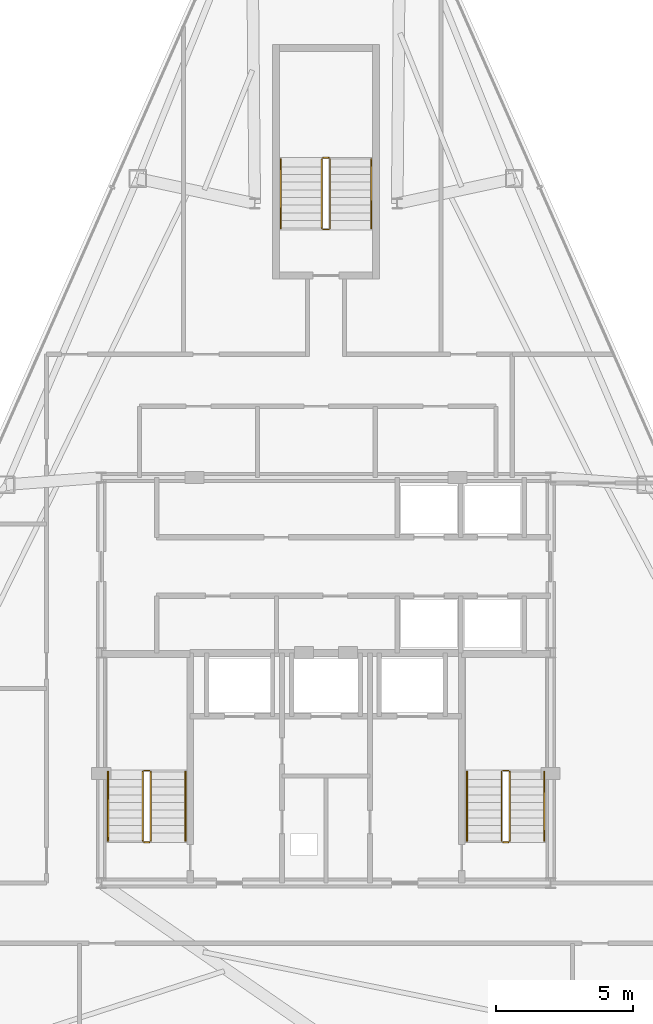
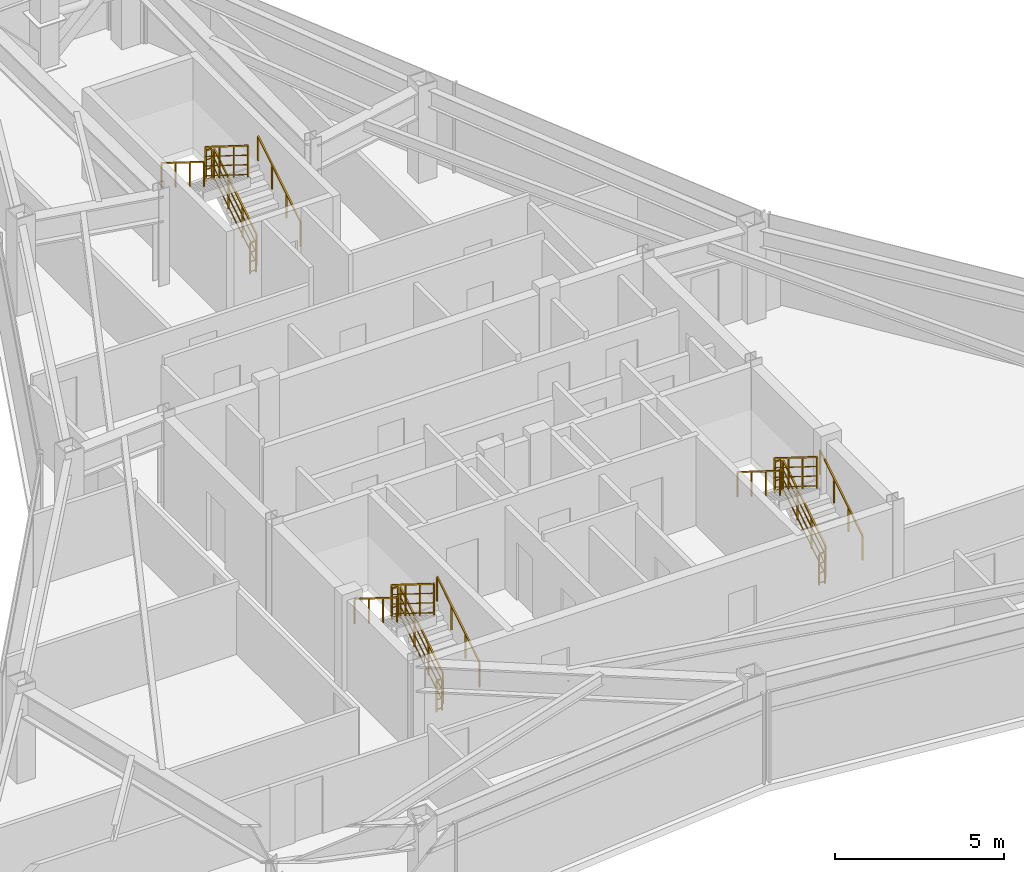
# One storey, part 12 of 12: 18 railings.
"""IFC4 building model written with IfcOpenShell, lengths in metres."""

from ifc_helpers import new_model, si_unit, direction, frame, origin, origin_2d, place, context, subcontext, project, spatial, rectangle, extrude, material, type_object, element, save


model = new_model("IFC4")

# Units and contexts
model_context = context("Model", 3, precision=1e-05, world=origin(), true_north=direction((0.0, 1.0)))
body_context = subcontext(model_context, "Body", "Model", "MODEL_VIEW")
ifc_project = project(units=[si_unit("LENGTHUNIT", "METRE"), si_unit("AREAUNIT", "SQUARE_METRE"), si_unit("VOLUMEUNIT", "CUBIC_METRE"), si_unit("PLANEANGLEUNIT", "RADIAN"), si_unit("MASSUNIT", "GRAM", prefix="KILO")], contexts=[model_context])

# Site, building, storey
site_placement = place(None, origin())
site = spatial("IfcSite", under=ifc_project, at=site_placement, CompositionType="ELEMENT")
building_placement = place(site_placement, origin())
building = spatial("IfcBuilding", under=site, at=building_placement, Name="Varakhsha Concourse Tower", CompositionType="ELEMENT")
storey_placement = place(building_placement, frame((0.0, 0.0, 265.5)))
storey = spatial("IfcBuildingStorey", under=building, at=storey_placement, Name="L75", CompositionType="ELEMENT", Elevation=265.5)

# Railings
ifc_material = material(Name="Brushed Austenitic Stainless Steel AISI 316", Category="steel")
railing_type_1 = type_object("IfcRailingType", Name="RL-STAIR-GUARD-1100", PredefinedType="GUARDRAIL", material=ifc_material)
railing_1_placement = place(storey_placement, frame((33.610107421875, 17.93994140625, 0.175048828125)))
element("IfcRailing", 1, at=railing_1_placement, inside=storey, type_object=railing_type_1, Name="L75 ST1 stair guard 1", PredefinedType="GUARDRAIL", context=body_context, shape_type="SweptSolid", body=[
    extrude(rectangle(XDim=0.048095703125, YDim=0.048095703125, at=origin_2d()), frame((0.0, 0.0, 1.1259765625), z_axis=(0.0, 0.848007534815, 0.529984170421), x_axis=(-1.0, 0.0, 0.0)), (0.0, 0.0, 1.0), 2.9716796875),
    extrude(rectangle(XDim=0.028076171875, YDim=0.028076171875, at=origin_2d()), frame((0.0, 0.0, 0.080078125), z_axis=(0.0, 0.848007534815, 0.529984170421), x_axis=(-1.0, 0.0, 0.0)), (0.0, 0.0, 1.0), 2.9716796875),
    extrude(rectangle(XDim=0.028076171875, YDim=0.028076171875, at=origin_2d()), frame((0.0, 0.0, 0.43701171875), z_axis=(0.0, 0.848007534815, 0.529984170421), x_axis=(-1.0, 0.0, 0.0)), (0.0, 0.0, 1.0), 2.9716796875),
    extrude(rectangle(XDim=0.028076171875, YDim=0.028076171875, at=origin_2d()), frame((0.0, 0.0, 0.781982421875), z_axis=(0.0, 0.848007534815, 0.529984170421), x_axis=(-1.0, 0.0, 0.0)), (0.0, 0.0, 1.0), 2.9716796875),
    extrude(rectangle(XDim=0.0419921875, YDim=0.0419921875, at=origin_2d()), origin(), (0.0, 0.0, 1.0), 1.101806640625),
    extrude(rectangle(XDim=0.0419921875, YDim=0.0419921875, at=origin_2d()), frame((0.0, 0.840087890625, 0.52490234375)), (0.0, 0.0, 1.0), 1.101806640625),
    extrude(rectangle(XDim=0.0419921875, YDim=0.0419921875, at=origin_2d()), frame((0.0, 1.679931640625, 1.050048828125)), (0.0, 0.0, 1.0), 1.101806640625),
    extrude(rectangle(XDim=0.0419921875, YDim=0.0419921875, at=origin_2d()), frame((0.0, 2.52001953125, 1.574951171875)), (0.0, 0.0, 1.0), 1.101806640625),
])
railing_2_placement = place(storey_placement, frame((33.56005859375, 20.510009765625, 1.75)))
element("IfcRailing", 2, at=railing_2_placement, inside=storey, type_object=railing_type_1, Name="L75 ST1 stair guard 2", PredefinedType="GUARDRAIL", context=body_context, shape_type="SweptSolid", body=[
    extrude(rectangle(XDim=0.048095703125, YDim=0.048095703125, at=origin_2d()), frame((0.0, 0.0, 1.1259765625), z_axis=(-1.0, 0.0, 0.0), x_axis=(0.0, -1.0, 0.0)), (0.0, 0.0, 1.0), 0.199951171875),
    extrude(rectangle(XDim=0.028076171875, YDim=0.028076171875, at=origin_2d()), frame((0.0, 0.0, 0.080078125), z_axis=(-1.0, 0.0, 0.0), x_axis=(0.0, -1.0, 0.0)), (0.0, 0.0, 1.0), 0.199951171875),
    extrude(rectangle(XDim=0.028076171875, YDim=0.028076171875, at=origin_2d()), frame((0.0, 0.0, 0.43701171875), z_axis=(-1.0, 0.0, 0.0), x_axis=(0.0, -1.0, 0.0)), (0.0, 0.0, 1.0), 0.199951171875),
    extrude(rectangle(XDim=0.028076171875, YDim=0.028076171875, at=origin_2d()), frame((0.0, 0.0, 0.781982421875), z_axis=(-1.0, 0.0, 0.0), x_axis=(0.0, -1.0, 0.0)), (0.0, 0.0, 1.0), 0.199951171875),
    extrude(rectangle(XDim=0.0419921875, YDim=0.0419921875, at=origin_2d()), origin(), (0.0, 0.0, 1.0), 1.101806640625),
    extrude(rectangle(XDim=0.0419921875, YDim=0.0419921875, at=origin_2d()), frame((-0.199951171875, 0.0, 0.0)), (0.0, 0.0, 1.0), 1.101806640625),
])
railing_3_placement = place(storey_placement, frame((33.31005859375, 20.4599609375, 1.925048828125)))
element("IfcRailing", 3, at=railing_3_placement, inside=storey, type_object=railing_type_1, Name="L75 ST1 stair guard 3", PredefinedType="GUARDRAIL", context=body_context, shape_type="SweptSolid", body=[
    extrude(rectangle(XDim=0.048095703125, YDim=0.048095703125, at=origin_2d()), frame((0.0, 0.0, 1.1259765625), z_axis=(0.0, -0.848007534815, 0.529984170421), x_axis=(1.0, 0.0, 0.0)), (0.0, 0.0, 1.0), 2.9716796875),
    extrude(rectangle(XDim=0.028076171875, YDim=0.028076171875, at=origin_2d()), frame((0.0, 0.0, 0.080078125), z_axis=(0.0, -0.848007534815, 0.529984170421), x_axis=(1.0, 0.0, 0.0)), (0.0, 0.0, 1.0), 2.9716796875),
    extrude(rectangle(XDim=0.028076171875, YDim=0.028076171875, at=origin_2d()), frame((0.0, 0.0, 0.43701171875), z_axis=(0.0, -0.848007534815, 0.529984170421), x_axis=(1.0, 0.0, 0.0)), (0.0, 0.0, 1.0), 2.9716796875),
    extrude(rectangle(XDim=0.028076171875, YDim=0.028076171875, at=origin_2d()), frame((0.0, 0.0, 0.781982421875), z_axis=(0.0, -0.848007534815, 0.529984170421), x_axis=(1.0, 0.0, 0.0)), (0.0, 0.0, 1.0), 2.9716796875),
    extrude(rectangle(XDim=0.0419921875, YDim=0.0419921875, at=origin_2d()), origin(), (0.0, 0.0, 1.0), 1.101806640625),
    extrude(rectangle(XDim=0.0419921875, YDim=0.0419921875, at=origin_2d()), frame((0.0, -0.840087890625, 0.52490234375)), (0.0, 0.0, 1.0), 1.101806640625),
    extrude(rectangle(XDim=0.0419921875, YDim=0.0419921875, at=origin_2d()), frame((0.0, -1.679931640625, 1.050048828125)), (0.0, 0.0, 1.0), 1.101806640625),
    extrude(rectangle(XDim=0.0419921875, YDim=0.0419921875, at=origin_2d()), frame((0.0, -2.52001953125, 1.574951171875)), (0.0, 0.0, 1.0), 1.101806640625),
])
railing_4_placement = place(storey_placement, frame((33.56005859375, 17.889892578125, 0.0)))
element("IfcRailing", 4, at=railing_4_placement, inside=storey, type_object=railing_type_1, Name="L75 ST1 stair guard 4", PredefinedType="GUARDRAIL", context=body_context, shape_type="SweptSolid", body=[
    extrude(rectangle(XDim=0.048095703125, YDim=0.048095703125, at=origin_2d()), frame((0.0, 0.0, 1.1259765625), z_axis=(-1.0, 0.0, 0.0), x_axis=(0.0, -1.0, 0.0)), (0.0, 0.0, 1.0), 0.199951171875),
    extrude(rectangle(XDim=0.028076171875, YDim=0.028076171875, at=origin_2d()), frame((0.0, 0.0, 0.080078125), z_axis=(-1.0, 0.0, 0.0), x_axis=(0.0, -1.0, 0.0)), (0.0, 0.0, 1.0), 0.199951171875),
    extrude(rectangle(XDim=0.028076171875, YDim=0.028076171875, at=origin_2d()), frame((0.0, 0.0, 0.43701171875), z_axis=(-1.0, 0.0, 0.0), x_axis=(0.0, -1.0, 0.0)), (0.0, 0.0, 1.0), 0.199951171875),
    extrude(rectangle(XDim=0.028076171875, YDim=0.028076171875, at=origin_2d()), frame((0.0, 0.0, 0.781982421875), z_axis=(-1.0, 0.0, 0.0), x_axis=(0.0, -1.0, 0.0)), (0.0, 0.0, 1.0), 0.199951171875),
    extrude(rectangle(XDim=0.0419921875, YDim=0.0419921875, at=origin_2d()), origin(), (0.0, 0.0, 1.0), 1.101806640625),
    extrude(rectangle(XDim=0.0419921875, YDim=0.0419921875, at=origin_2d()), frame((-0.199951171875, 0.0, 0.0)), (0.0, 0.0, 1.0), 1.101806640625),
])
railing_5_placement = place(storey_placement, frame((46.7099609375, 17.93994140625, 0.175048828125)))
element("IfcRailing", 5, at=railing_5_placement, inside=storey, type_object=railing_type_1, Name="L75 ST2 stair guard 1", PredefinedType="GUARDRAIL", context=body_context, shape_type="SweptSolid", body=[
    extrude(rectangle(XDim=0.048095703125, YDim=0.048095703125, at=origin_2d()), frame((0.0, 0.0, 1.1259765625), z_axis=(0.0, 0.848007534815, 0.529984170421), x_axis=(-1.0, 0.0, 0.0)), (0.0, 0.0, 1.0), 2.9716796875),
    extrude(rectangle(XDim=0.028076171875, YDim=0.028076171875, at=origin_2d()), frame((0.0, 0.0, 0.080078125), z_axis=(0.0, 0.848007534815, 0.529984170421), x_axis=(-1.0, 0.0, 0.0)), (0.0, 0.0, 1.0), 2.9716796875),
    extrude(rectangle(XDim=0.028076171875, YDim=0.028076171875, at=origin_2d()), frame((0.0, 0.0, 0.43701171875), z_axis=(0.0, 0.848007534815, 0.529984170421), x_axis=(-1.0, 0.0, 0.0)), (0.0, 0.0, 1.0), 2.9716796875),
    extrude(rectangle(XDim=0.028076171875, YDim=0.028076171875, at=origin_2d()), frame((0.0, 0.0, 0.781982421875), z_axis=(0.0, 0.848007534815, 0.529984170421), x_axis=(-1.0, 0.0, 0.0)), (0.0, 0.0, 1.0), 2.9716796875),
    extrude(rectangle(XDim=0.0419921875, YDim=0.0419921875, at=origin_2d()), origin(), (0.0, 0.0, 1.0), 1.101806640625),
    extrude(rectangle(XDim=0.0419921875, YDim=0.0419921875, at=origin_2d()), frame((0.0, 0.840087890625, 0.52490234375)), (0.0, 0.0, 1.0), 1.101806640625),
    extrude(rectangle(XDim=0.0419921875, YDim=0.0419921875, at=origin_2d()), frame((0.0, 1.679931640625, 1.050048828125)), (0.0, 0.0, 1.0), 1.101806640625),
    extrude(rectangle(XDim=0.0419921875, YDim=0.0419921875, at=origin_2d()), frame((0.0, 2.52001953125, 1.574951171875)), (0.0, 0.0, 1.0), 1.101806640625),
])
railing_6_placement = place(storey_placement, frame((46.659912109375, 20.510009765625, 1.75)))
element("IfcRailing", 6, at=railing_6_placement, inside=storey, type_object=railing_type_1, Name="L75 ST2 stair guard 2", PredefinedType="GUARDRAIL", context=body_context, shape_type="SweptSolid", body=[
    extrude(rectangle(XDim=0.048095703125, YDim=0.048095703125, at=origin_2d()), frame((0.0, 0.0, 1.1259765625), z_axis=(-1.0, 0.0, 0.0), x_axis=(0.0, -1.0, 0.0)), (0.0, 0.0, 1.0), 0.199951171875),
    extrude(rectangle(XDim=0.028076171875, YDim=0.028076171875, at=origin_2d()), frame((0.0, 0.0, 0.080078125), z_axis=(-1.0, 0.0, 0.0), x_axis=(0.0, -1.0, 0.0)), (0.0, 0.0, 1.0), 0.199951171875),
    extrude(rectangle(XDim=0.028076171875, YDim=0.028076171875, at=origin_2d()), frame((0.0, 0.0, 0.43701171875), z_axis=(-1.0, 0.0, 0.0), x_axis=(0.0, -1.0, 0.0)), (0.0, 0.0, 1.0), 0.199951171875),
    extrude(rectangle(XDim=0.028076171875, YDim=0.028076171875, at=origin_2d()), frame((0.0, 0.0, 0.781982421875), z_axis=(-1.0, 0.0, 0.0), x_axis=(0.0, -1.0, 0.0)), (0.0, 0.0, 1.0), 0.199951171875),
    extrude(rectangle(XDim=0.0419921875, YDim=0.0419921875, at=origin_2d()), origin(), (0.0, 0.0, 1.0), 1.101806640625),
    extrude(rectangle(XDim=0.0419921875, YDim=0.0419921875, at=origin_2d()), frame((-0.199951171875, 0.0, 0.0)), (0.0, 0.0, 1.0), 1.101806640625),
])
railing_7_placement = place(storey_placement, frame((46.409912109375, 20.4599609375, 1.925048828125)))
element("IfcRailing", 7, at=railing_7_placement, inside=storey, type_object=railing_type_1, Name="L75 ST2 stair guard 3", PredefinedType="GUARDRAIL", context=body_context, shape_type="SweptSolid", body=[
    extrude(rectangle(XDim=0.048095703125, YDim=0.048095703125, at=origin_2d()), frame((0.0, 0.0, 1.1259765625), z_axis=(0.0, -0.848007534815, 0.529984170421), x_axis=(1.0, 0.0, 0.0)), (0.0, 0.0, 1.0), 2.9716796875),
    extrude(rectangle(XDim=0.028076171875, YDim=0.028076171875, at=origin_2d()), frame((0.0, 0.0, 0.080078125), z_axis=(0.0, -0.848007534815, 0.529984170421), x_axis=(1.0, 0.0, 0.0)), (0.0, 0.0, 1.0), 2.9716796875),
    extrude(rectangle(XDim=0.028076171875, YDim=0.028076171875, at=origin_2d()), frame((0.0, 0.0, 0.43701171875), z_axis=(0.0, -0.848007534815, 0.529984170421), x_axis=(1.0, 0.0, 0.0)), (0.0, 0.0, 1.0), 2.9716796875),
    extrude(rectangle(XDim=0.028076171875, YDim=0.028076171875, at=origin_2d()), frame((0.0, 0.0, 0.781982421875), z_axis=(0.0, -0.848007534815, 0.529984170421), x_axis=(1.0, 0.0, 0.0)), (0.0, 0.0, 1.0), 2.9716796875),
    extrude(rectangle(XDim=0.0419921875, YDim=0.0419921875, at=origin_2d()), origin(), (0.0, 0.0, 1.0), 1.101806640625),
    extrude(rectangle(XDim=0.0419921875, YDim=0.0419921875, at=origin_2d()), frame((0.0, -0.840087890625, 0.52490234375)), (0.0, 0.0, 1.0), 1.101806640625),
    extrude(rectangle(XDim=0.0419921875, YDim=0.0419921875, at=origin_2d()), frame((0.0, -1.679931640625, 1.050048828125)), (0.0, 0.0, 1.0), 1.101806640625),
    extrude(rectangle(XDim=0.0419921875, YDim=0.0419921875, at=origin_2d()), frame((0.0, -2.52001953125, 1.574951171875)), (0.0, 0.0, 1.0), 1.101806640625),
])
railing_8_placement = place(storey_placement, frame((46.659912109375, 17.889892578125, 0.0)))
element("IfcRailing", 8, at=railing_8_placement, inside=storey, type_object=railing_type_1, Name="L75 ST2 stair guard 4", PredefinedType="GUARDRAIL", context=body_context, shape_type="SweptSolid", body=[
    extrude(rectangle(XDim=0.048095703125, YDim=0.048095703125, at=origin_2d()), frame((0.0, 0.0, 1.1259765625), z_axis=(-1.0, 0.0, 0.0), x_axis=(0.0, -1.0, 0.0)), (0.0, 0.0, 1.0), 0.199951171875),
    extrude(rectangle(XDim=0.028076171875, YDim=0.028076171875, at=origin_2d()), frame((0.0, 0.0, 0.080078125), z_axis=(-1.0, 0.0, 0.0), x_axis=(0.0, -1.0, 0.0)), (0.0, 0.0, 1.0), 0.199951171875),
    extrude(rectangle(XDim=0.028076171875, YDim=0.028076171875, at=origin_2d()), frame((0.0, 0.0, 0.43701171875), z_axis=(-1.0, 0.0, 0.0), x_axis=(0.0, -1.0, 0.0)), (0.0, 0.0, 1.0), 0.199951171875),
    extrude(rectangle(XDim=0.028076171875, YDim=0.028076171875, at=origin_2d()), frame((0.0, 0.0, 0.781982421875), z_axis=(-1.0, 0.0, 0.0), x_axis=(0.0, -1.0, 0.0)), (0.0, 0.0, 1.0), 0.199951171875),
    extrude(rectangle(XDim=0.0419921875, YDim=0.0419921875, at=origin_2d()), origin(), (0.0, 0.0, 1.0), 1.101806640625),
    extrude(rectangle(XDim=0.0419921875, YDim=0.0419921875, at=origin_2d()), frame((-0.199951171875, 0.0, 0.0)), (0.0, 0.0, 1.0), 1.101806640625),
])
railing_9_placement = place(storey_placement, frame((40.14990234375, 40.300048828125, 0.175048828125)))
element("IfcRailing", 9, at=railing_9_placement, inside=storey, type_object=railing_type_1, Name="L75 ST5 stair guard 1", PredefinedType="GUARDRAIL", context=body_context, shape_type="SweptSolid", body=[
    extrude(rectangle(XDim=0.048095703125, YDim=0.048095703125, at=origin_2d()), frame((0.0, 0.0, 1.1259765625), z_axis=(0.0, 0.848007534815, 0.529984170421), x_axis=(-1.0, 0.0, 0.0)), (0.0, 0.0, 1.0), 2.9716796875),
    extrude(rectangle(XDim=0.028076171875, YDim=0.028076171875, at=origin_2d()), frame((0.0, 0.0, 0.080078125), z_axis=(0.0, 0.848007534815, 0.529984170421), x_axis=(-1.0, 0.0, 0.0)), (0.0, 0.0, 1.0), 2.9716796875),
    extrude(rectangle(XDim=0.028076171875, YDim=0.028076171875, at=origin_2d()), frame((0.0, 0.0, 0.43701171875), z_axis=(0.0, 0.848007534815, 0.529984170421), x_axis=(-1.0, 0.0, 0.0)), (0.0, 0.0, 1.0), 2.9716796875),
    extrude(rectangle(XDim=0.028076171875, YDim=0.028076171875, at=origin_2d()), frame((0.0, 0.0, 0.781982421875), z_axis=(0.0, 0.848007534815, 0.529984170421), x_axis=(-1.0, 0.0, 0.0)), (0.0, 0.0, 1.0), 2.9716796875),
    extrude(rectangle(XDim=0.0419921875, YDim=0.0419921875, at=origin_2d()), origin(), (0.0, 0.0, 1.0), 1.101806640625),
    extrude(rectangle(XDim=0.0419921875, YDim=0.0419921875, at=origin_2d()), frame((0.0, 0.840087890625, 0.52490234375)), (0.0, 0.0, 1.0), 1.101806640625),
    extrude(rectangle(XDim=0.0419921875, YDim=0.0419921875, at=origin_2d()), frame((0.0, 1.679931640625, 1.050048828125)), (0.0, 0.0, 1.0), 1.101806640625),
    extrude(rectangle(XDim=0.0419921875, YDim=0.0419921875, at=origin_2d()), frame((0.0, 2.52001953125, 1.574951171875)), (0.0, 0.0, 1.0), 1.101806640625),
])
railing_10_placement = place(storey_placement, frame((40.10009765625, 42.8701171875, 1.75)))
element("IfcRailing", 10, at=railing_10_placement, inside=storey, type_object=railing_type_1, Name="L75 ST5 stair guard 2", PredefinedType="GUARDRAIL", context=body_context, shape_type="SweptSolid", body=[
    extrude(rectangle(XDim=0.048095703125, YDim=0.048095703125, at=origin_2d()), frame((0.0, 0.0, 1.1259765625), z_axis=(-1.0, 0.0, 0.0), x_axis=(0.0, -1.0, 0.0)), (0.0, 0.0, 1.0), 0.2001953125),
    extrude(rectangle(XDim=0.028076171875, YDim=0.028076171875, at=origin_2d()), frame((0.0, 0.0, 0.080078125), z_axis=(-1.0, 0.0, 0.0), x_axis=(0.0, -1.0, 0.0)), (0.0, 0.0, 1.0), 0.2001953125),
    extrude(rectangle(XDim=0.028076171875, YDim=0.028076171875, at=origin_2d()), frame((0.0, 0.0, 0.43701171875), z_axis=(-1.0, 0.0, 0.0), x_axis=(0.0, -1.0, 0.0)), (0.0, 0.0, 1.0), 0.2001953125),
    extrude(rectangle(XDim=0.028076171875, YDim=0.028076171875, at=origin_2d()), frame((0.0, 0.0, 0.781982421875), z_axis=(-1.0, 0.0, 0.0), x_axis=(0.0, -1.0, 0.0)), (0.0, 0.0, 1.0), 0.2001953125),
    extrude(rectangle(XDim=0.0419921875, YDim=0.0419921875, at=origin_2d()), origin(), (0.0, 0.0, 1.0), 1.101806640625),
    extrude(rectangle(XDim=0.0419921875, YDim=0.0419921875, at=origin_2d()), frame((-0.2001953125, 0.0, 0.0)), (0.0, 0.0, 1.0), 1.101806640625),
])
railing_11_placement = place(storey_placement, frame((39.85009765625, 42.820068359375, 1.925048828125)))
element("IfcRailing", 11, at=railing_11_placement, inside=storey, type_object=railing_type_1, Name="L75 ST5 stair guard 3", PredefinedType="GUARDRAIL", context=body_context, shape_type="SweptSolid", body=[
    extrude(rectangle(XDim=0.048095703125, YDim=0.048095703125, at=origin_2d()), frame((0.0, 0.0, 1.1259765625), z_axis=(0.0, -0.848007534815, 0.529984170421), x_axis=(1.0, 0.0, 0.0)), (0.0, 0.0, 1.0), 2.9716796875),
    extrude(rectangle(XDim=0.028076171875, YDim=0.028076171875, at=origin_2d()), frame((0.0, 0.0, 0.080078125), z_axis=(0.0, -0.848007534815, 0.529984170421), x_axis=(1.0, 0.0, 0.0)), (0.0, 0.0, 1.0), 2.9716796875),
    extrude(rectangle(XDim=0.028076171875, YDim=0.028076171875, at=origin_2d()), frame((0.0, 0.0, 0.43701171875), z_axis=(0.0, -0.848007534815, 0.529984170421), x_axis=(1.0, 0.0, 0.0)), (0.0, 0.0, 1.0), 2.9716796875),
    extrude(rectangle(XDim=0.028076171875, YDim=0.028076171875, at=origin_2d()), frame((0.0, 0.0, 0.781982421875), z_axis=(0.0, -0.848007534815, 0.529984170421), x_axis=(1.0, 0.0, 0.0)), (0.0, 0.0, 1.0), 2.9716796875),
    extrude(rectangle(XDim=0.0419921875, YDim=0.0419921875, at=origin_2d()), origin(), (0.0, 0.0, 1.0), 1.101806640625),
    extrude(rectangle(XDim=0.0419921875, YDim=0.0419921875, at=origin_2d()), frame((0.0, -0.840087890625, 0.52490234375)), (0.0, 0.0, 1.0), 1.101806640625),
    extrude(rectangle(XDim=0.0419921875, YDim=0.0419921875, at=origin_2d()), frame((0.0, -1.679931640625, 1.050048828125)), (0.0, 0.0, 1.0), 1.101806640625),
    extrude(rectangle(XDim=0.0419921875, YDim=0.0419921875, at=origin_2d()), frame((0.0, -2.52001953125, 1.574951171875)), (0.0, 0.0, 1.0), 1.101806640625),
])
railing_12_placement = place(storey_placement, frame((40.10009765625, 40.25, 0.0)))
element("IfcRailing", 12, at=railing_12_placement, inside=storey, type_object=railing_type_1, Name="L75 ST5 stair guard 4", PredefinedType="GUARDRAIL", context=body_context, shape_type="SweptSolid", body=[
    extrude(rectangle(XDim=0.048095703125, YDim=0.048095703125, at=origin_2d()), frame((0.0, 0.0, 1.1259765625), z_axis=(-1.0, 0.0, 0.0), x_axis=(0.0, -1.0, 0.0)), (0.0, 0.0, 1.0), 0.2001953125),
    extrude(rectangle(XDim=0.028076171875, YDim=0.028076171875, at=origin_2d()), frame((0.0, 0.0, 0.080078125), z_axis=(-1.0, 0.0, 0.0), x_axis=(0.0, -1.0, 0.0)), (0.0, 0.0, 1.0), 0.2001953125),
    extrude(rectangle(XDim=0.028076171875, YDim=0.028076171875, at=origin_2d()), frame((0.0, 0.0, 0.43701171875), z_axis=(-1.0, 0.0, 0.0), x_axis=(0.0, -1.0, 0.0)), (0.0, 0.0, 1.0), 0.2001953125),
    extrude(rectangle(XDim=0.028076171875, YDim=0.028076171875, at=origin_2d()), frame((0.0, 0.0, 0.781982421875), z_axis=(-1.0, 0.0, 0.0), x_axis=(0.0, -1.0, 0.0)), (0.0, 0.0, 1.0), 0.2001953125),
    extrude(rectangle(XDim=0.0419921875, YDim=0.0419921875, at=origin_2d()), origin(), (0.0, 0.0, 1.0), 1.101806640625),
    extrude(rectangle(XDim=0.0419921875, YDim=0.0419921875, at=origin_2d()), frame((-0.2001953125, 0.0, 0.0)), (0.0, 0.0, 1.0), 1.101806640625),
])
railing_type_2 = type_object("IfcRailingType", Name="RL-STAIR-RAIL-915", PredefinedType="HANDRAIL", material=ifc_material)
railing_13_placement = place(storey_placement, frame((34.8701171875, 17.93994140625, 0.35009765625)))
element("IfcRailing", 13, at=railing_13_placement, inside=storey, type_object=railing_type_2, Name="L75 ST1 stair handrail 1", PredefinedType="HANDRAIL", context=body_context, shape_type="SweptSolid", body=[
    extrude(rectangle(XDim=0.048095703125, YDim=0.048095703125, at=origin_2d()), frame((0.0, 0.0, 0.89111328125), z_axis=(0.0, 0.848007534815, 0.529984170421), x_axis=(-1.0, 0.0, 0.0)), (0.0, 0.0, 1.0), 2.9716796875),
    extrude(rectangle(XDim=0.0419921875, YDim=0.0419921875, at=origin_2d()), origin(), (0.0, 0.0, 1.0), 0.866943359375),
    extrude(rectangle(XDim=0.0419921875, YDim=0.0419921875, at=origin_2d()), frame((0.0, 0.840087890625, 0.52490234375)), (0.0, 0.0, 1.0), 0.866943359375),
    extrude(rectangle(XDim=0.0419921875, YDim=0.0419921875, at=origin_2d()), frame((0.0, 1.679931640625, 1.050048828125)), (0.0, 0.0, 1.0), 0.866943359375),
    extrude(rectangle(XDim=0.0419921875, YDim=0.0419921875, at=origin_2d()), frame((0.0, 2.52001953125, 1.574951171875)), (0.0, 0.0, 1.0), 0.866943359375),
])
railing_14_placement = place(storey_placement, frame((32.050048828125, 20.4599609375, 2.10009765625)))
element("IfcRailing", 14, at=railing_14_placement, inside=storey, type_object=railing_type_2, Name="L75 ST1 stair handrail 2", PredefinedType="HANDRAIL", context=body_context, shape_type="SweptSolid", body=[
    extrude(rectangle(XDim=0.048095703125, YDim=0.048095703125, at=origin_2d()), frame((0.0, 0.0, 0.89111328125), z_axis=(0.0, -0.848007534815, 0.529984170421), x_axis=(1.0, 0.0, 0.0)), (0.0, 0.0, 1.0), 2.9716796875),
    extrude(rectangle(XDim=0.0419921875, YDim=0.0419921875, at=origin_2d()), origin(), (0.0, 0.0, 1.0), 0.866943359375),
    extrude(rectangle(XDim=0.0419921875, YDim=0.0419921875, at=origin_2d()), frame((0.0, -0.840087890625, 0.52490234375)), (0.0, 0.0, 1.0), 0.866943359375),
    extrude(rectangle(XDim=0.0419921875, YDim=0.0419921875, at=origin_2d()), frame((0.0, -1.679931640625, 1.050048828125)), (0.0, 0.0, 1.0), 0.866943359375),
    extrude(rectangle(XDim=0.0419921875, YDim=0.0419921875, at=origin_2d()), frame((0.0, -2.52001953125, 1.574951171875)), (0.0, 0.0, 1.0), 0.866943359375),
])
railing_15_placement = place(storey_placement, frame((47.969970703125, 17.93994140625, 0.35009765625)))
element("IfcRailing", 15, at=railing_15_placement, inside=storey, type_object=railing_type_2, Name="L75 ST2 stair handrail 1", PredefinedType="HANDRAIL", context=body_context, shape_type="SweptSolid", body=[
    extrude(rectangle(XDim=0.048095703125, YDim=0.048095703125, at=origin_2d()), frame((0.0, 0.0, 0.89111328125), z_axis=(0.0, 0.848007534815, 0.529984170421), x_axis=(-1.0, 0.0, 0.0)), (0.0, 0.0, 1.0), 2.9716796875),
    extrude(rectangle(XDim=0.0419921875, YDim=0.0419921875, at=origin_2d()), origin(), (0.0, 0.0, 1.0), 0.866943359375),
    extrude(rectangle(XDim=0.0419921875, YDim=0.0419921875, at=origin_2d()), frame((0.0, 0.840087890625, 0.52490234375)), (0.0, 0.0, 1.0), 0.866943359375),
    extrude(rectangle(XDim=0.0419921875, YDim=0.0419921875, at=origin_2d()), frame((0.0, 1.679931640625, 1.050048828125)), (0.0, 0.0, 1.0), 0.866943359375),
    extrude(rectangle(XDim=0.0419921875, YDim=0.0419921875, at=origin_2d()), frame((0.0, 2.52001953125, 1.574951171875)), (0.0, 0.0, 1.0), 0.866943359375),
])
railing_16_placement = place(storey_placement, frame((45.14990234375, 20.4599609375, 2.10009765625)))
element("IfcRailing", 16, at=railing_16_placement, inside=storey, type_object=railing_type_2, Name="L75 ST2 stair handrail 2", PredefinedType="HANDRAIL", context=body_context, shape_type="SweptSolid", body=[
    extrude(rectangle(XDim=0.048095703125, YDim=0.048095703125, at=origin_2d()), frame((0.0, 0.0, 0.89111328125), z_axis=(0.0, -0.848007534815, 0.529984170421), x_axis=(1.0, 0.0, 0.0)), (0.0, 0.0, 1.0), 2.9716796875),
    extrude(rectangle(XDim=0.0419921875, YDim=0.0419921875, at=origin_2d()), origin(), (0.0, 0.0, 1.0), 0.866943359375),
    extrude(rectangle(XDim=0.0419921875, YDim=0.0419921875, at=origin_2d()), frame((0.0, -0.840087890625, 0.52490234375)), (0.0, 0.0, 1.0), 0.866943359375),
    extrude(rectangle(XDim=0.0419921875, YDim=0.0419921875, at=origin_2d()), frame((0.0, -1.679931640625, 1.050048828125)), (0.0, 0.0, 1.0), 0.866943359375),
    extrude(rectangle(XDim=0.0419921875, YDim=0.0419921875, at=origin_2d()), frame((0.0, -2.52001953125, 1.574951171875)), (0.0, 0.0, 1.0), 0.866943359375),
])
railing_17_placement = place(storey_placement, frame((41.64990234375, 40.300048828125, 0.35009765625)))
element("IfcRailing", 17, at=railing_17_placement, inside=storey, type_object=railing_type_2, Name="L75 ST5 stair handrail 1", PredefinedType="HANDRAIL", context=body_context, shape_type="SweptSolid", body=[
    extrude(rectangle(XDim=0.048095703125, YDim=0.048095703125, at=origin_2d()), frame((0.0, 0.0, 0.89111328125), z_axis=(0.0, 0.848007534815, 0.529984170421), x_axis=(-1.0, 0.0, 0.0)), (0.0, 0.0, 1.0), 2.9716796875),
    extrude(rectangle(XDim=0.0419921875, YDim=0.0419921875, at=origin_2d()), origin(), (0.0, 0.0, 1.0), 0.866943359375),
    extrude(rectangle(XDim=0.0419921875, YDim=0.0419921875, at=origin_2d()), frame((0.0, 0.840087890625, 0.52490234375)), (0.0, 0.0, 1.0), 0.866943359375),
    extrude(rectangle(XDim=0.0419921875, YDim=0.0419921875, at=origin_2d()), frame((0.0, 1.679931640625, 1.050048828125)), (0.0, 0.0, 1.0), 0.866943359375),
    extrude(rectangle(XDim=0.0419921875, YDim=0.0419921875, at=origin_2d()), frame((0.0, 2.52001953125, 1.574951171875)), (0.0, 0.0, 1.0), 0.866943359375),
])
railing_18_placement = place(storey_placement, frame((38.35009765625, 42.820068359375, 2.10009765625)))
element("IfcRailing", 18, at=railing_18_placement, inside=storey, type_object=railing_type_2, Name="L75 ST5 stair handrail 2", PredefinedType="HANDRAIL", context=body_context, shape_type="SweptSolid", body=[
    extrude(rectangle(XDim=0.048095703125, YDim=0.048095703125, at=origin_2d()), frame((0.0, 0.0, 0.89111328125), z_axis=(0.0, -0.848007534815, 0.529984170421), x_axis=(1.0, 0.0, 0.0)), (0.0, 0.0, 1.0), 2.9716796875),
    extrude(rectangle(XDim=0.0419921875, YDim=0.0419921875, at=origin_2d()), origin(), (0.0, 0.0, 1.0), 0.866943359375),
    extrude(rectangle(XDim=0.0419921875, YDim=0.0419921875, at=origin_2d()), frame((0.0, -0.840087890625, 0.52490234375)), (0.0, 0.0, 1.0), 0.866943359375),
    extrude(rectangle(XDim=0.0419921875, YDim=0.0419921875, at=origin_2d()), frame((0.0, -1.679931640625, 1.050048828125)), (0.0, 0.0, 1.0), 0.866943359375),
    extrude(rectangle(XDim=0.0419921875, YDim=0.0419921875, at=origin_2d()), frame((0.0, -2.52001953125, 1.574951171875)), (0.0, 0.0, 1.0), 0.866943359375),
])

save(model, "model.ifc")
